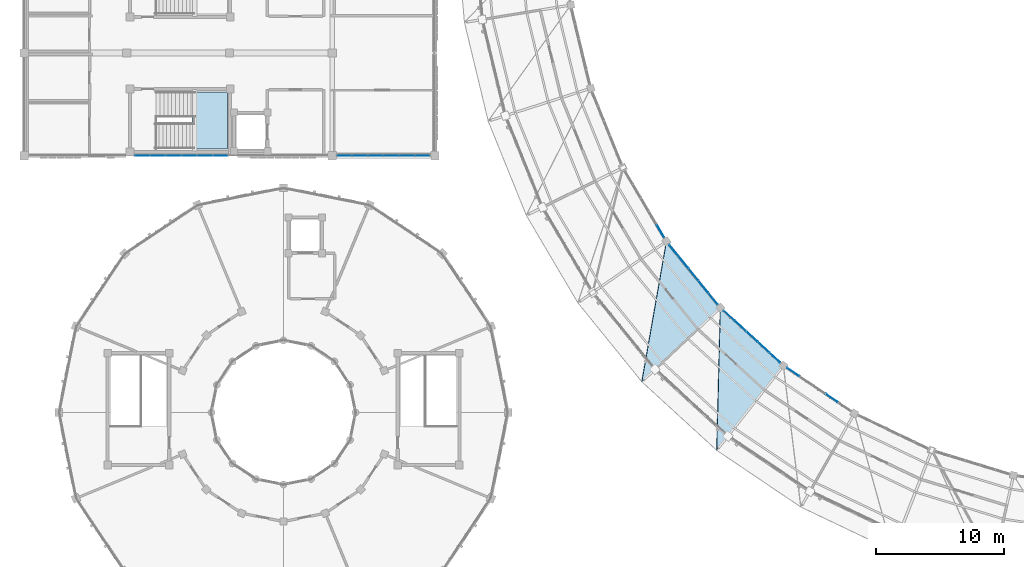
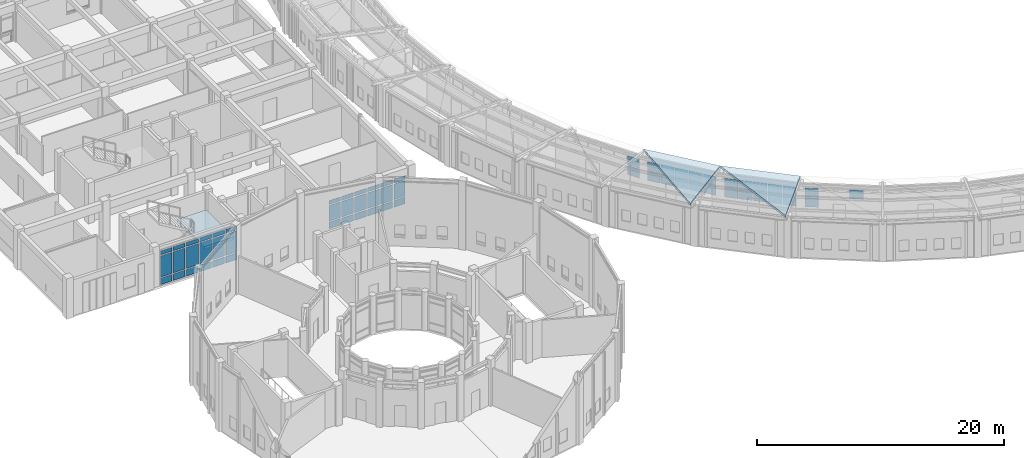
# One storey, part 101 of 149: 61 plates, 3 slabs, 7 elements without a shape of their own.
"""IFC4 building model written with IfcOpenShell, lengths in metres."""

from ifc_helpers import new_model, si_unit, direction, frame, origin, origin_2d, place, context, subcontext, project, spatial, polyline, rectangle, outline, extrude, material, layer, layer_set, type_object, element, aggregate, save


model = new_model("IFC4")

# Units and contexts
model_context = context("Model", 3, precision=1e-05, world=origin(), true_north=direction((0.0, 1.0)))
body_context = subcontext(model_context, "Body", "Model", "MODEL_VIEW")
ifc_project = project(units=[si_unit("LENGTHUNIT", "METRE"), si_unit("AREAUNIT", "SQUARE_METRE"), si_unit("VOLUMEUNIT", "CUBIC_METRE"), si_unit("PLANEANGLEUNIT", "RADIAN"), si_unit("MASSUNIT", "GRAM", prefix="KILO")], contexts=[model_context])

# Site, building, storey
site_placement = place(None, origin())
site = spatial("IfcSite", under=ifc_project, at=site_placement, CompositionType="ELEMENT")
building_placement = place(site_placement, origin())
building = spatial("IfcBuilding", under=site, at=building_placement, Name="Celadon Cloister-Ring School", CompositionType="ELEMENT")
storey_placement = place(building_placement, frame((0.0, 0.0, 12.5)))
storey = spatial("IfcBuildingStorey", under=building, at=storey_placement, Name="L03", CompositionType="ELEMENT", Elevation=12.5)

# Curtain wall, plates
ifc_material_1 = material(Name="Aluminium EN AW-6063 T6", Category="aluminium")
curtain_wall_type_1 = type_object("IfcCurtainWallType", Name="CW-15", PredefinedType="USERDEFINED", material=ifc_material_1)
curtain_wall_1_placement = place(storey_placement, origin())
curtain_wall_1 = element("IfcCurtainWall", 1, at=curtain_wall_1_placement, inside=storey, type_object=curtain_wall_type_1, Name="Curtain Wall 0205", ObjectType="CURTAIN WALL", PredefinedType="USERDEFINED")
ifc_material_2 = material(Name="Tempered laminated insulating glass", Category="glass")
ifc_layer_1 = layer(ifc_material_2, 0.02001953125)
ifc_layer_set_1 = layer_set([ifc_layer_1], Name="Tempered laminated insulating glass")
plate_type_1 = type_object("IfcPlateType", Name="CPN-01", PredefinedType="CURTAIN_PANEL", material=ifc_layer_set_1)
plate_1_placement = place(storey_placement, frame((31.034912109375, 40.0, 0.10498046875), z_axis=(0.0, 0.0, 1.0), x_axis=(-1.0, 0.0, 0.0)))
plate_1 = element("IfcPlate", 2, at=plate_1_placement, type_object=plate_type_1, Name="CW-15 panel 1.1", PredefinedType="CURTAIN_PANEL", context=body_context, shape_type="SweptSolid", body=[
    extrude(rectangle(XDim=1.06005859375, YDim=0.02001953125, at=origin_2d()), origin(), (0.0, 0.0, 1.0), 0.642578125),
])
plate_2_placement = place(storey_placement, frame((31.034912109375, 40.0, 0.8525390625), z_axis=(0.0, 0.0, 1.0), x_axis=(-1.0, 0.0, 0.0)))
plate_2 = element("IfcPlate", 3, at=plate_2_placement, type_object=plate_type_1, Name="CW-15 panel 1.2", PredefinedType="CURTAIN_PANEL", context=body_context, shape_type="SweptSolid", body=[
    extrude(rectangle(XDim=1.06005859375, YDim=0.02001953125, at=origin_2d()), origin(), (0.0, 0.0, 1.0), 1.547119140625),
])
plate_3_placement = place(storey_placement, frame((31.034912109375, 40.0, 2.50439453125), z_axis=(0.0, 0.0, 1.0), x_axis=(-1.0, 0.0, 0.0)))
plate_3 = element("IfcPlate", 4, at=plate_3_placement, type_object=plate_type_1, Name="CW-15 panel 1.3", PredefinedType="CURTAIN_PANEL", context=body_context, shape_type="SweptSolid", body=[
    extrude(rectangle(XDim=1.06005859375, YDim=0.02001953125, at=origin_2d()), origin(), (0.0, 0.0, 1.0), 0.392578125),
])
plate_4_placement = place(storey_placement, frame((29.83740234375, 40.0, 0.10498046875), z_axis=(0.0, 0.0, 1.0), x_axis=(-1.0, 0.0, 0.0)))
plate_4 = element("IfcPlate", 5, at=plate_4_placement, type_object=plate_type_1, Name="CW-15 panel 2.1", PredefinedType="CURTAIN_PANEL", context=body_context, shape_type="SweptSolid", body=[
    extrude(rectangle(XDim=1.114990234375, YDim=0.02001953125, at=origin_2d()), origin(), (0.0, 0.0, 1.0), 0.642578125),
])
plate_5_placement = place(storey_placement, frame((29.83740234375, 40.0, 0.8525390625), z_axis=(0.0, 0.0, 1.0), x_axis=(-1.0, 0.0, 0.0)))
plate_5 = element("IfcPlate", 6, at=plate_5_placement, type_object=plate_type_1, Name="CW-15 panel 2.2", PredefinedType="CURTAIN_PANEL", context=body_context, shape_type="SweptSolid", body=[
    extrude(rectangle(XDim=1.114990234375, YDim=0.02001953125, at=origin_2d()), origin(), (0.0, 0.0, 1.0), 1.547119140625),
])
plate_6_placement = place(storey_placement, frame((29.83740234375, 40.0, 2.50439453125), z_axis=(0.0, 0.0, 1.0), x_axis=(-1.0, 0.0, 0.0)))
plate_6 = element("IfcPlate", 7, at=plate_6_placement, type_object=plate_type_1, Name="CW-15 panel 2.3", PredefinedType="CURTAIN_PANEL", context=body_context, shape_type="SweptSolid", body=[
    extrude(rectangle(XDim=1.114990234375, YDim=0.02001953125, at=origin_2d()), origin(), (0.0, 0.0, 1.0), 0.392578125),
])
plate_7_placement = place(storey_placement, frame((28.612548828125, 40.0, 0.10498046875), z_axis=(0.0, 0.0, 1.0), x_axis=(-1.0, 0.0, 0.0)))
plate_7 = element("IfcPlate", 8, at=plate_7_placement, type_object=plate_type_1, Name="CW-15 panel 3.1", PredefinedType="CURTAIN_PANEL", context=body_context, shape_type="SweptSolid", body=[
    extrude(rectangle(XDim=1.114990234375, YDim=0.02001953125, at=origin_2d()), origin(), (0.0, 0.0, 1.0), 0.642578125),
])
plate_8_placement = place(storey_placement, frame((28.612548828125, 40.0, 0.8525390625), z_axis=(0.0, 0.0, 1.0), x_axis=(-1.0, 0.0, 0.0)))
plate_8 = element("IfcPlate", 9, at=plate_8_placement, type_object=plate_type_1, Name="CW-15 panel 3.2", PredefinedType="CURTAIN_PANEL", context=body_context, shape_type="SweptSolid", body=[
    extrude(rectangle(XDim=1.114990234375, YDim=0.02001953125, at=origin_2d()), origin(), (0.0, 0.0, 1.0), 1.547119140625),
])
plate_9_placement = place(storey_placement, frame((28.612548828125, 40.0, 2.50439453125), z_axis=(0.0, 0.0, 1.0), x_axis=(-1.0, 0.0, 0.0)))
plate_9 = element("IfcPlate", 10, at=plate_9_placement, type_object=plate_type_1, Name="CW-15 panel 3.3", PredefinedType="CURTAIN_PANEL", context=body_context, shape_type="SweptSolid", body=[
    extrude(rectangle(XDim=1.114990234375, YDim=0.02001953125, at=origin_2d()), origin(), (0.0, 0.0, 1.0), 0.392578125),
])
plate_10_placement = place(storey_placement, frame((27.387451171875, 40.0, 0.10498046875), z_axis=(0.0, 0.0, 1.0), x_axis=(-1.0, 0.0, 0.0)))
plate_10 = element("IfcPlate", 11, at=plate_10_placement, type_object=plate_type_1, Name="CW-15 panel 4.1", PredefinedType="CURTAIN_PANEL", context=body_context, shape_type="SweptSolid", body=[
    extrude(rectangle(XDim=1.114990234375, YDim=0.02001953125, at=origin_2d()), origin(), (0.0, 0.0, 1.0), 0.642578125),
])
plate_11_placement = place(storey_placement, frame((27.387451171875, 40.0, 0.8525390625), z_axis=(0.0, 0.0, 1.0), x_axis=(-1.0, 0.0, 0.0)))
plate_11 = element("IfcPlate", 12, at=plate_11_placement, type_object=plate_type_1, Name="CW-15 panel 4.2", PredefinedType="CURTAIN_PANEL", context=body_context, shape_type="SweptSolid", body=[
    extrude(rectangle(XDim=1.114990234375, YDim=0.02001953125, at=origin_2d()), origin(), (0.0, 0.0, 1.0), 1.547119140625),
])
plate_12_placement = place(storey_placement, frame((27.387451171875, 40.0, 2.50439453125), z_axis=(0.0, 0.0, 1.0), x_axis=(-1.0, 0.0, 0.0)))
plate_12 = element("IfcPlate", 13, at=plate_12_placement, type_object=plate_type_1, Name="CW-15 panel 4.3", PredefinedType="CURTAIN_PANEL", context=body_context, shape_type="SweptSolid", body=[
    extrude(rectangle(XDim=1.114990234375, YDim=0.02001953125, at=origin_2d()), origin(), (0.0, 0.0, 1.0), 0.392578125),
])
plate_13_placement = place(storey_placement, frame((26.16259765625, 40.0, 0.10498046875), z_axis=(0.0, 0.0, 1.0), x_axis=(-1.0, 0.0, 0.0)))
plate_13 = element("IfcPlate", 14, at=plate_13_placement, type_object=plate_type_1, Name="CW-15 panel 5.1", PredefinedType="CURTAIN_PANEL", context=body_context, shape_type="SweptSolid", body=[
    extrude(rectangle(XDim=1.114990234375, YDim=0.02001953125, at=origin_2d()), origin(), (0.0, 0.0, 1.0), 0.642578125),
])
plate_14_placement = place(storey_placement, frame((26.16259765625, 40.0, 0.8525390625), z_axis=(0.0, 0.0, 1.0), x_axis=(-1.0, 0.0, 0.0)))
plate_14 = element("IfcPlate", 15, at=plate_14_placement, type_object=plate_type_1, Name="CW-15 panel 5.2", PredefinedType="CURTAIN_PANEL", context=body_context, shape_type="SweptSolid", body=[
    extrude(rectangle(XDim=1.114990234375, YDim=0.02001953125, at=origin_2d()), origin(), (0.0, 0.0, 1.0), 1.547119140625),
])
plate_15_placement = place(storey_placement, frame((26.16259765625, 40.0, 2.50439453125), z_axis=(0.0, 0.0, 1.0), x_axis=(-1.0, 0.0, 0.0)))
plate_15 = element("IfcPlate", 16, at=plate_15_placement, type_object=plate_type_1, Name="CW-15 panel 5.3", PredefinedType="CURTAIN_PANEL", context=body_context, shape_type="SweptSolid", body=[
    extrude(rectangle(XDim=1.114990234375, YDim=0.02001953125, at=origin_2d()), origin(), (0.0, 0.0, 1.0), 0.392578125),
])
plate_16_placement = place(storey_placement, frame((24.965087890625, 40.0, 0.10498046875), z_axis=(0.0, 0.0, 1.0), x_axis=(-1.0, 0.0, 0.0)))
plate_16 = element("IfcPlate", 17, at=plate_16_placement, type_object=plate_type_1, Name="CW-15 panel 6.1", PredefinedType="CURTAIN_PANEL", context=body_context, shape_type="SweptSolid", body=[
    extrude(rectangle(XDim=1.06005859375, YDim=0.02001953125, at=origin_2d()), origin(), (0.0, 0.0, 1.0), 0.642578125),
])
plate_17_placement = place(storey_placement, frame((24.965087890625, 40.0, 0.8525390625), z_axis=(0.0, 0.0, 1.0), x_axis=(-1.0, 0.0, 0.0)))
plate_17 = element("IfcPlate", 18, at=plate_17_placement, type_object=plate_type_1, Name="CW-15 panel 6.2", PredefinedType="CURTAIN_PANEL", context=body_context, shape_type="SweptSolid", body=[
    extrude(rectangle(XDim=1.06005859375, YDim=0.02001953125, at=origin_2d()), origin(), (0.0, 0.0, 1.0), 1.547119140625),
])
plate_18_placement = place(storey_placement, frame((24.965087890625, 40.0, 2.50439453125), z_axis=(0.0, 0.0, 1.0), x_axis=(-1.0, 0.0, 0.0)))
plate_18 = element("IfcPlate", 19, at=plate_18_placement, type_object=plate_type_1, Name="CW-15 panel 6.3", PredefinedType="CURTAIN_PANEL", context=body_context, shape_type="SweptSolid", body=[
    extrude(rectangle(XDim=1.06005859375, YDim=0.02001953125, at=origin_2d()), origin(), (0.0, 0.0, 1.0), 0.392578125),
])
aggregate(curtain_wall_1, [plate_1, plate_2, plate_3, plate_4, plate_5, plate_6, plate_7, plate_8, plate_9, plate_10, plate_11, plate_12, plate_13, plate_14, plate_15, plate_16, plate_17, plate_18])

ifc_material_3 = material(Name="Aluminium EN AW-6063 T6", Category="aluminium")
curtain_wall_type_2 = type_object("IfcCurtainWallType", Name="CW-13", PredefinedType="USERDEFINED", material=ifc_material_3)
curtain_wall_2_placement = place(storey_placement, origin())
curtain_wall_2 = element("IfcCurtainWall", 20, at=curtain_wall_2_placement, inside=storey, type_object=curtain_wall_type_2, Name="Curtain Wall 0206", ObjectType="CURTAIN WALL", PredefinedType="USERDEFINED")
plate_19_placement = place(storey_placement, frame((15.296630859375, 40.0, 0.10498046875), z_axis=(0.0, 0.0, 1.0), x_axis=(-1.0, 0.0, 0.0)))
plate_19 = element("IfcPlate", 21, at=plate_19_placement, type_object=plate_type_1, Name="CW-13 panel 1.1", PredefinedType="CURTAIN_PANEL", context=body_context, shape_type="SweptSolid", body=[
    extrude(rectangle(XDim=1.066650390625, YDim=0.02001953125, at=origin_2d()), origin(), (0.0, 0.0, 1.0), 0.642578125),
])
plate_20_placement = place(storey_placement, frame((15.296630859375, 40.0, 0.8525390625), z_axis=(0.0, 0.0, 1.0), x_axis=(-1.0, 0.0, 0.0)))
plate_20 = element("IfcPlate", 22, at=plate_20_placement, type_object=plate_type_1, Name="CW-13 panel 1.2", PredefinedType="CURTAIN_PANEL", context=body_context, shape_type="SweptSolid", body=[
    extrude(rectangle(XDim=1.066650390625, YDim=0.02001953125, at=origin_2d()), origin(), (0.0, 0.0, 1.0), 2.094970703125),
])
plate_21_placement = place(storey_placement, frame((15.296630859375, 40.0, 3.052490234375), z_axis=(0.0, 0.0, 1.0), x_axis=(-1.0, 0.0, 0.0)))
plate_21 = element("IfcPlate", 23, at=plate_21_placement, type_object=plate_type_1, Name="CW-13 panel 1.3", PredefinedType="CURTAIN_PANEL", context=body_context, shape_type="SweptSolid", body=[
    extrude(rectangle(XDim=1.066650390625, YDim=0.02001953125, at=origin_2d()), origin(), (0.0, 0.0, 1.0), 0.392578125),
])
plate_22_placement = place(storey_placement, frame((14.092529296875, 40.0, 0.10498046875), z_axis=(0.0, 0.0, 1.0), x_axis=(-1.0, 0.0, 0.0)))
plate_22 = element("IfcPlate", 24, at=plate_22_placement, type_object=plate_type_1, Name="CW-13 panel 2.1", PredefinedType="CURTAIN_PANEL", context=body_context, shape_type="SweptSolid", body=[
    extrude(rectangle(XDim=1.12158203125, YDim=0.02001953125, at=origin_2d()), origin(), (0.0, 0.0, 1.0), 0.642578125),
])
plate_23_placement = place(storey_placement, frame((14.092529296875, 40.0, 0.8525390625), z_axis=(0.0, 0.0, 1.0), x_axis=(-1.0, 0.0, 0.0)))
plate_23 = element("IfcPlate", 25, at=plate_23_placement, type_object=plate_type_1, Name="CW-13 panel 2.2", PredefinedType="CURTAIN_PANEL", context=body_context, shape_type="SweptSolid", body=[
    extrude(rectangle(XDim=1.12158203125, YDim=0.02001953125, at=origin_2d()), origin(), (0.0, 0.0, 1.0), 2.094970703125),
])
plate_24_placement = place(storey_placement, frame((14.092529296875, 40.0, 3.052490234375), z_axis=(0.0, 0.0, 1.0), x_axis=(-1.0, 0.0, 0.0)))
plate_24 = element("IfcPlate", 26, at=plate_24_placement, type_object=plate_type_1, Name="CW-13 panel 2.3", PredefinedType="CURTAIN_PANEL", context=body_context, shape_type="SweptSolid", body=[
    extrude(rectangle(XDim=1.12158203125, YDim=0.02001953125, at=origin_2d()), origin(), (0.0, 0.0, 1.0), 0.392578125),
])
plate_25_placement = place(storey_placement, frame((12.86083984375, 40.0, 0.10498046875), z_axis=(0.0, 0.0, 1.0), x_axis=(-1.0, 0.0, 0.0)))
plate_25 = element("IfcPlate", 27, at=plate_25_placement, type_object=plate_type_1, Name="CW-13 panel 3.1", PredefinedType="CURTAIN_PANEL", context=body_context, shape_type="SweptSolid", body=[
    extrude(rectangle(XDim=1.12158203125, YDim=0.02001953125, at=origin_2d()), origin(), (0.0, 0.0, 1.0), 0.642578125),
])
plate_26_placement = place(storey_placement, frame((12.86083984375, 40.0, 0.8525390625), z_axis=(0.0, 0.0, 1.0), x_axis=(-1.0, 0.0, 0.0)))
plate_26 = element("IfcPlate", 28, at=plate_26_placement, type_object=plate_type_1, Name="CW-13 panel 3.2", PredefinedType="CURTAIN_PANEL", context=body_context, shape_type="SweptSolid", body=[
    extrude(rectangle(XDim=1.12158203125, YDim=0.02001953125, at=origin_2d()), origin(), (0.0, 0.0, 1.0), 2.094970703125),
])
plate_27_placement = place(storey_placement, frame((12.86083984375, 40.0, 3.052490234375), z_axis=(0.0, 0.0, 1.0), x_axis=(-1.0, 0.0, 0.0)))
plate_27 = element("IfcPlate", 29, at=plate_27_placement, type_object=plate_type_1, Name="CW-13 panel 3.3", PredefinedType="CURTAIN_PANEL", context=body_context, shape_type="SweptSolid", body=[
    extrude(rectangle(XDim=1.12158203125, YDim=0.02001953125, at=origin_2d()), origin(), (0.0, 0.0, 1.0), 0.392578125),
])
plate_28_placement = place(storey_placement, frame((11.629150390625, 40.0, 0.10498046875), z_axis=(0.0, 0.0, 1.0), x_axis=(-1.0, 0.0, 0.0)))
plate_28 = element("IfcPlate", 30, at=plate_28_placement, type_object=plate_type_1, Name="CW-13 panel 4.1", PredefinedType="CURTAIN_PANEL", context=body_context, shape_type="SweptSolid", body=[
    extrude(rectangle(XDim=1.12158203125, YDim=0.02001953125, at=origin_2d()), origin(), (0.0, 0.0, 1.0), 0.642578125),
])
plate_29_placement = place(storey_placement, frame((11.629150390625, 40.0, 0.8525390625), z_axis=(0.0, 0.0, 1.0), x_axis=(-1.0, 0.0, 0.0)))
plate_29 = element("IfcPlate", 31, at=plate_29_placement, type_object=plate_type_1, Name="CW-13 panel 4.2", PredefinedType="CURTAIN_PANEL", context=body_context, shape_type="SweptSolid", body=[
    extrude(rectangle(XDim=1.12158203125, YDim=0.02001953125, at=origin_2d()), origin(), (0.0, 0.0, 1.0), 2.094970703125),
])
plate_30_placement = place(storey_placement, frame((11.629150390625, 40.0, 3.052490234375), z_axis=(0.0, 0.0, 1.0), x_axis=(-1.0, 0.0, 0.0)))
plate_30 = element("IfcPlate", 32, at=plate_30_placement, type_object=plate_type_1, Name="CW-13 panel 4.3", PredefinedType="CURTAIN_PANEL", context=body_context, shape_type="SweptSolid", body=[
    extrude(rectangle(XDim=1.12158203125, YDim=0.02001953125, at=origin_2d()), origin(), (0.0, 0.0, 1.0), 0.392578125),
])
plate_31_placement = place(storey_placement, frame((10.3974609375, 40.0, 0.10498046875), z_axis=(0.0, 0.0, 1.0), x_axis=(-1.0, 0.0, 0.0)))
plate_31 = element("IfcPlate", 33, at=plate_31_placement, type_object=plate_type_1, Name="CW-13 panel 5.1", PredefinedType="CURTAIN_PANEL", context=body_context, shape_type="SweptSolid", body=[
    extrude(rectangle(XDim=1.12158203125, YDim=0.02001953125, at=origin_2d()), origin(), (0.0, 0.0, 1.0), 0.642578125),
])
plate_32_placement = place(storey_placement, frame((10.3974609375, 40.0, 0.8525390625), z_axis=(0.0, 0.0, 1.0), x_axis=(-1.0, 0.0, 0.0)))
plate_32 = element("IfcPlate", 34, at=plate_32_placement, type_object=plate_type_1, Name="CW-13 panel 5.2", PredefinedType="CURTAIN_PANEL", context=body_context, shape_type="SweptSolid", body=[
    extrude(rectangle(XDim=1.12158203125, YDim=0.02001953125, at=origin_2d()), origin(), (0.0, 0.0, 1.0), 2.094970703125),
])
plate_33_placement = place(storey_placement, frame((10.3974609375, 40.0, 3.052490234375), z_axis=(0.0, 0.0, 1.0), x_axis=(-1.0, 0.0, 0.0)))
plate_33 = element("IfcPlate", 35, at=plate_33_placement, type_object=plate_type_1, Name="CW-13 panel 5.3", PredefinedType="CURTAIN_PANEL", context=body_context, shape_type="SweptSolid", body=[
    extrude(rectangle(XDim=1.12158203125, YDim=0.02001953125, at=origin_2d()), origin(), (0.0, 0.0, 1.0), 0.392578125),
])
plate_34_placement = place(storey_placement, frame((9.193359375, 40.0, 0.10498046875), z_axis=(0.0, 0.0, 1.0), x_axis=(-1.0, 0.0, 0.0)))
plate_34 = element("IfcPlate", 36, at=plate_34_placement, type_object=plate_type_1, Name="CW-13 panel 6.1", PredefinedType="CURTAIN_PANEL", context=body_context, shape_type="SweptSolid", body=[
    extrude(rectangle(XDim=1.066650390625, YDim=0.02001953125, at=origin_2d()), origin(), (0.0, 0.0, 1.0), 0.642578125),
])
plate_35_placement = place(storey_placement, frame((9.193359375, 40.0, 0.8525390625), z_axis=(0.0, 0.0, 1.0), x_axis=(-1.0, 0.0, 0.0)))
plate_35 = element("IfcPlate", 37, at=plate_35_placement, type_object=plate_type_1, Name="CW-13 panel 6.2", PredefinedType="CURTAIN_PANEL", context=body_context, shape_type="SweptSolid", body=[
    extrude(rectangle(XDim=1.066650390625, YDim=0.02001953125, at=origin_2d()), origin(), (0.0, 0.0, 1.0), 2.094970703125),
])
plate_36_placement = place(storey_placement, frame((9.193359375, 40.0, 3.052490234375), z_axis=(0.0, 0.0, 1.0), x_axis=(-1.0, 0.0, 0.0)))
plate_36 = element("IfcPlate", 38, at=plate_36_placement, type_object=plate_type_1, Name="CW-13 panel 6.3", PredefinedType="CURTAIN_PANEL", context=body_context, shape_type="SweptSolid", body=[
    extrude(rectangle(XDim=1.066650390625, YDim=0.02001953125, at=origin_2d()), origin(), (0.0, 0.0, 1.0), 0.392578125),
])
aggregate(curtain_wall_2, [plate_19, plate_20, plate_21, plate_22, plate_23, plate_24, plate_25, plate_26, plate_27, plate_28, plate_29, plate_30, plate_31, plate_32, plate_33, plate_34, plate_35, plate_36])

ifc_material_4 = material(Name="Aluminium EN AW-6063 T6", Category="aluminium")
curtain_wall_type_3 = type_object("IfcCurtainWallType", Name="CW-02", PredefinedType="USERDEFINED", material=ifc_material_4)
curtain_wall_3_placement = place(storey_placement, origin())
curtain_wall_3 = element("IfcCurtainWall", 39, at=curtain_wall_3_placement, inside=storey, type_object=curtain_wall_type_3, Name="Curtain Wall 0054", ObjectType="CURTAIN WALL", PredefinedType="USERDEFINED")
ifc_material_5 = material(Name="Tempered laminated insulating glass", Category="glass")
ifc_layer_2 = layer(ifc_material_5, 0.035888671875)
ifc_layer_set_2 = layer_set([ifc_layer_2], Name="Tempered laminated insulating glass")
plate_type_2 = type_object("IfcPlateType", Name="CPN-03", PredefinedType="CURTAIN_PANEL", material=ifc_layer_set_2)
plate_37_placement = place(storey_placement, frame((49.575439453125, 34.116455078125, 0.074951171875), z_axis=(0.0, 0.0, 1.0), x_axis=(0.507885374036, -0.861424661152, 0.0)))
plate_37 = element("IfcPlate", 40, at=plate_37_placement, type_object=plate_type_2, Name="CW-02 panel 5.1", PredefinedType="CURTAIN_PANEL", context=body_context, shape_type="SweptSolid", body=[
    extrude(rectangle(XDim=1.10205078125, YDim=0.035888671875, at=origin_2d()), origin(), (0.0, 0.0, 1.0), 0.8974609375),
])
plate_38_placement = place(storey_placement, frame((49.575439453125, 34.116455078125, 1.047607421875), z_axis=(0.0, 0.0, 1.0), x_axis=(0.507885374036, -0.861424661152, 0.0)))
plate_38 = element("IfcPlate", 41, at=plate_38_placement, type_object=plate_type_2, Name="CW-02 panel 5.2", PredefinedType="CURTAIN_PANEL", context=body_context, shape_type="SweptSolid", body=[
    extrude(rectangle(XDim=1.10205078125, YDim=0.035888671875, at=origin_2d()), origin(), (0.0, 0.0, 1.0), 0.8974609375),
])
aggregate(curtain_wall_3, [plate_37, plate_38])

curtain_wall_4_placement = place(storey_placement, origin())
curtain_wall_4 = element("IfcCurtainWall", 42, at=curtain_wall_4_placement, inside=storey, type_object=curtain_wall_type_3, Name="Curtain Wall 0055", ObjectType="CURTAIN WALL", PredefinedType="USERDEFINED")
plate_39_placement = place(storey_placement, frame((50.6103515625, 32.6259765625, 0.074951171875), z_axis=(0.0, 0.0, 1.0), x_axis=(0.62977259355, -0.776779557155, 0.0)))
plate_39 = element("IfcPlate", 43, at=plate_39_placement, type_object=plate_type_2, Name="CW-02 panel 1.1", PredefinedType="CURTAIN_PANEL", context=body_context, shape_type="SweptSolid", body=[
    extrude(rectangle(XDim=1.101806640625, YDim=0.035888671875, at=origin_2d()), origin(), (0.0, 0.0, 1.0), 0.8974609375),
])
plate_40_placement = place(storey_placement, frame((50.6103515625, 32.6259765625, 1.047607421875), z_axis=(0.0, 0.0, 1.0), x_axis=(0.62977259355, -0.776779557155, 0.0)))
plate_40 = element("IfcPlate", 44, at=plate_40_placement, type_object=plate_type_2, Name="CW-02 panel 1.2", PredefinedType="CURTAIN_PANEL", context=body_context, shape_type="SweptSolid", body=[
    extrude(rectangle(XDim=1.101806640625, YDim=0.035888671875, at=origin_2d()), origin(), (0.0, 0.0, 1.0), 0.8974609375),
])
plate_41_placement = place(storey_placement, frame((51.3671875, 31.6923828125, 0.074951171875), z_axis=(0.0, 0.0, 1.0), x_axis=(0.62977259355, -0.776779557155, 0.0)))
plate_41 = element("IfcPlate", 45, at=plate_41_placement, type_object=plate_type_2, Name="CW-02 panel 2.1", PredefinedType="CURTAIN_PANEL", context=body_context, shape_type="SweptSolid", body=[
    extrude(rectangle(XDim=1.1416015625, YDim=0.035888671875, at=origin_2d()), origin(), (0.0, 0.0, 1.0), 0.8974609375),
])
plate_42_placement = place(storey_placement, frame((51.3671875, 31.6923828125, 1.047607421875), z_axis=(0.0, 0.0, 1.0), x_axis=(0.62977259355, -0.776779557155, 0.0)))
plate_42 = element("IfcPlate", 46, at=plate_42_placement, type_object=plate_type_2, Name="CW-02 panel 2.2", PredefinedType="CURTAIN_PANEL", context=body_context, shape_type="SweptSolid", body=[
    extrude(rectangle(XDim=1.1416015625, YDim=0.035888671875, at=origin_2d()), origin(), (0.0, 0.0, 1.0), 0.8974609375),
])
plate_43_placement = place(storey_placement, frame((52.136474609375, 30.743408203125, 0.074951171875), z_axis=(0.0, 0.0, 1.0), x_axis=(0.62977259355, -0.776779557155, 0.0)))
plate_43 = element("IfcPlate", 47, at=plate_43_placement, type_object=plate_type_2, Name="CW-02 panel 3.1", PredefinedType="CURTAIN_PANEL", context=body_context, shape_type="SweptSolid", body=[
    extrude(rectangle(XDim=1.1416015625, YDim=0.035888671875, at=origin_2d()), origin(), (0.0, 0.0, 1.0), 0.8974609375),
])
plate_44_placement = place(storey_placement, frame((52.136474609375, 30.743408203125, 1.047607421875), z_axis=(0.0, 0.0, 1.0), x_axis=(0.62977259355, -0.776779557155, 0.0)))
plate_44 = element("IfcPlate", 48, at=plate_44_placement, type_object=plate_type_2, Name="CW-02 panel 3.2", PredefinedType="CURTAIN_PANEL", context=body_context, shape_type="SweptSolid", body=[
    extrude(rectangle(XDim=1.1416015625, YDim=0.035888671875, at=origin_2d()), origin(), (0.0, 0.0, 1.0), 0.8974609375),
])
plate_45_placement = place(storey_placement, frame((52.906005859375, 29.79443359375, 0.074951171875), z_axis=(0.0, 0.0, 1.0), x_axis=(0.62977259355, -0.776779557155, 0.0)))
plate_45 = element("IfcPlate", 49, at=plate_45_placement, type_object=plate_type_2, Name="CW-02 panel 4.1", PredefinedType="CURTAIN_PANEL", context=body_context, shape_type="SweptSolid", body=[
    extrude(rectangle(XDim=1.1416015625, YDim=0.035888671875, at=origin_2d()), origin(), (0.0, 0.0, 1.0), 0.8974609375),
])
plate_46_placement = place(storey_placement, frame((52.906005859375, 29.79443359375, 1.047607421875), z_axis=(0.0, 0.0, 1.0), x_axis=(0.62977259355, -0.776779557155, 0.0)))
plate_46 = element("IfcPlate", 50, at=plate_46_placement, type_object=plate_type_2, Name="CW-02 panel 4.2", PredefinedType="CURTAIN_PANEL", context=body_context, shape_type="SweptSolid", body=[
    extrude(rectangle(XDim=1.1416015625, YDim=0.035888671875, at=origin_2d()), origin(), (0.0, 0.0, 1.0), 0.8974609375),
])
plate_47_placement = place(storey_placement, frame((53.66259765625, 28.861083984375, 0.074951171875), z_axis=(0.0, 0.0, 1.0), x_axis=(0.62977259355, -0.776779557155, 0.0)))
plate_47 = element("IfcPlate", 51, at=plate_47_placement, type_object=plate_type_2, Name="CW-02 panel 5.1", PredefinedType="CURTAIN_PANEL", context=body_context, shape_type="SweptSolid", body=[
    extrude(rectangle(XDim=1.101806640625, YDim=0.035888671875, at=origin_2d()), origin(), (0.0, 0.0, 1.0), 0.8974609375),
])
plate_48_placement = place(storey_placement, frame((53.66259765625, 28.861083984375, 1.047607421875), z_axis=(0.0, 0.0, 1.0), x_axis=(0.62977259355, -0.776779557155, 0.0)))
plate_48 = element("IfcPlate", 52, at=plate_48_placement, type_object=plate_type_2, Name="CW-02 panel 5.2", PredefinedType="CURTAIN_PANEL", context=body_context, shape_type="SweptSolid", body=[
    extrude(rectangle(XDim=1.101806640625, YDim=0.035888671875, at=origin_2d()), origin(), (0.0, 0.0, 1.0), 0.8974609375),
])
aggregate(curtain_wall_4, [plate_39, plate_40, plate_41, plate_42, plate_43, plate_44, plate_45, plate_46, plate_47, plate_48])

curtain_wall_5_placement = place(storey_placement, origin())
curtain_wall_5 = element("IfcCurtainWall", 53, at=curtain_wall_5_placement, inside=storey, type_object=curtain_wall_type_3, Name="Curtain Wall 0056", ObjectType="CURTAIN WALL", PredefinedType="USERDEFINED")
plate_49_placement = place(storey_placement, frame((54.90625, 27.539794921875, 0.074951171875), z_axis=(0.0, 0.0, 1.0), x_axis=(0.737446251531, -0.675405823267, 0.0)))
plate_49 = element("IfcPlate", 54, at=plate_49_placement, type_object=plate_type_2, Name="CW-02 panel 1.1", PredefinedType="CURTAIN_PANEL", context=body_context, shape_type="SweptSolid", body=[
    extrude(rectangle(XDim=1.101806640625, YDim=0.035888671875, at=origin_2d()), origin(), (0.0, 0.0, 1.0), 0.8974609375),
])
plate_50_placement = place(storey_placement, frame((54.90625, 27.539794921875, 1.047607421875), z_axis=(0.0, 0.0, 1.0), x_axis=(0.737446251531, -0.675405823267, 0.0)))
plate_50 = element("IfcPlate", 55, at=plate_50_placement, type_object=plate_type_2, Name="CW-02 panel 1.2", PredefinedType="CURTAIN_PANEL", context=body_context, shape_type="SweptSolid", body=[
    extrude(rectangle(XDim=1.101806640625, YDim=0.035888671875, at=origin_2d()), origin(), (0.0, 0.0, 1.0), 0.8974609375),
])
plate_51_placement = place(storey_placement, frame((55.79248046875, 26.728271484375, 0.074951171875), z_axis=(0.0, 0.0, 1.0), x_axis=(0.737446251531, -0.675405823267, 0.0)))
plate_51 = element("IfcPlate", 56, at=plate_51_placement, type_object=plate_type_2, Name="CW-02 panel 2.1", PredefinedType="CURTAIN_PANEL", context=body_context, shape_type="SweptSolid", body=[
    extrude(rectangle(XDim=1.141845703125, YDim=0.035888671875, at=origin_2d()), origin(), (0.0, 0.0, 1.0), 0.8974609375),
])
plate_52_placement = place(storey_placement, frame((55.79248046875, 26.728271484375, 1.047607421875), z_axis=(0.0, 0.0, 1.0), x_axis=(0.737446251531, -0.675405823267, 0.0)))
plate_52 = element("IfcPlate", 57, at=plate_52_placement, type_object=plate_type_2, Name="CW-02 panel 2.2", PredefinedType="CURTAIN_PANEL", context=body_context, shape_type="SweptSolid", body=[
    extrude(rectangle(XDim=1.141845703125, YDim=0.035888671875, at=origin_2d()), origin(), (0.0, 0.0, 1.0), 0.8974609375),
])
plate_53_placement = place(storey_placement, frame((56.693603515625, 25.903076171875, 0.074951171875), z_axis=(0.0, 0.0, 1.0), x_axis=(0.737446251531, -0.675405823267, 0.0)))
plate_53 = element("IfcPlate", 58, at=plate_53_placement, type_object=plate_type_2, Name="CW-02 panel 3.1", PredefinedType="CURTAIN_PANEL", context=body_context, shape_type="SweptSolid", body=[
    extrude(rectangle(XDim=1.141845703125, YDim=0.035888671875, at=origin_2d()), origin(), (0.0, 0.0, 1.0), 0.8974609375),
])
plate_54_placement = place(storey_placement, frame((56.693603515625, 25.903076171875, 1.047607421875), z_axis=(0.0, 0.0, 1.0), x_axis=(0.737446251531, -0.675405823267, 0.0)))
plate_54 = element("IfcPlate", 59, at=plate_54_placement, type_object=plate_type_2, Name="CW-02 panel 3.2", PredefinedType="CURTAIN_PANEL", context=body_context, shape_type="SweptSolid", body=[
    extrude(rectangle(XDim=1.141845703125, YDim=0.035888671875, at=origin_2d()), origin(), (0.0, 0.0, 1.0), 0.8974609375),
])
plate_55_placement = place(storey_placement, frame((57.594482421875, 25.077880859375, 0.074951171875), z_axis=(0.0, 0.0, 1.0), x_axis=(0.737446251531, -0.675405823267, 0.0)))
plate_55 = element("IfcPlate", 60, at=plate_55_placement, type_object=plate_type_2, Name="CW-02 panel 4.1", PredefinedType="CURTAIN_PANEL", context=body_context, shape_type="SweptSolid", body=[
    extrude(rectangle(XDim=1.141845703125, YDim=0.035888671875, at=origin_2d()), origin(), (0.0, 0.0, 1.0), 0.8974609375),
])
plate_56_placement = place(storey_placement, frame((57.594482421875, 25.077880859375, 1.047607421875), z_axis=(0.0, 0.0, 1.0), x_axis=(0.737446251531, -0.675405823267, 0.0)))
plate_56 = element("IfcPlate", 61, at=plate_56_placement, type_object=plate_type_2, Name="CW-02 panel 4.2", PredefinedType="CURTAIN_PANEL", context=body_context, shape_type="SweptSolid", body=[
    extrude(rectangle(XDim=1.141845703125, YDim=0.035888671875, at=origin_2d()), origin(), (0.0, 0.0, 1.0), 0.8974609375),
])
plate_57_placement = place(storey_placement, frame((58.480712890625, 24.26611328125, 0.074951171875), z_axis=(0.0, 0.0, 1.0), x_axis=(0.737446251531, -0.675405823267, 0.0)))
plate_57 = element("IfcPlate", 62, at=plate_57_placement, type_object=plate_type_2, Name="CW-02 panel 5.1", PredefinedType="CURTAIN_PANEL", context=body_context, shape_type="SweptSolid", body=[
    extrude(rectangle(XDim=1.101806640625, YDim=0.035888671875, at=origin_2d()), origin(), (0.0, 0.0, 1.0), 0.8974609375),
])
plate_58_placement = place(storey_placement, frame((58.480712890625, 24.26611328125, 1.047607421875), z_axis=(0.0, 0.0, 1.0), x_axis=(0.737446251531, -0.675405823267, 0.0)))
plate_58 = element("IfcPlate", 63, at=plate_58_placement, type_object=plate_type_2, Name="CW-02 panel 5.2", PredefinedType="CURTAIN_PANEL", context=body_context, shape_type="SweptSolid", body=[
    extrude(rectangle(XDim=1.101806640625, YDim=0.035888671875, at=origin_2d()), origin(), (0.0, 0.0, 1.0), 0.8974609375),
])
aggregate(curtain_wall_5, [plate_49, plate_50, plate_51, plate_52, plate_53, plate_54, plate_55, plate_56, plate_57, plate_58])

curtain_wall_6_placement = place(storey_placement, origin())
curtain_wall_6 = element("IfcCurtainWall", 64, at=curtain_wall_6_placement, inside=storey, type_object=curtain_wall_type_3, Name="Curtain Wall 0057", ObjectType="CURTAIN WALL", PredefinedType="USERDEFINED")
plate_59_placement = place(storey_placement, frame((59.90625, 23.143310546875, 0.074951171875), z_axis=(0.0, 0.0, 1.0), x_axis=(0.829269725916, -0.558848567753, 0.0)))
plate_59 = element("IfcPlate", 65, at=plate_59_placement, type_object=plate_type_2, Name="CW-02 panel 1.1", PredefinedType="CURTAIN_PANEL", context=body_context, shape_type="SweptSolid", body=[
    extrude(rectangle(XDim=1.101806640625, YDim=0.035888671875, at=origin_2d()), origin(), (0.0, 0.0, 1.0), 0.8974609375),
])
plate_60_placement = place(storey_placement, frame((59.90625, 23.143310546875, 1.047607421875), z_axis=(0.0, 0.0, 1.0), x_axis=(0.829269725916, -0.558848567753, 0.0)))
plate_60 = element("IfcPlate", 66, at=plate_60_placement, type_object=plate_type_2, Name="CW-02 panel 1.2", PredefinedType="CURTAIN_PANEL", context=body_context, shape_type="SweptSolid", body=[
    extrude(rectangle(XDim=1.101806640625, YDim=0.035888671875, at=origin_2d()), origin(), (0.0, 0.0, 1.0), 0.8974609375),
])
plate_61_placement = place(storey_placement, frame((62.92919921875, 21.106201171875, 1.047607421875), z_axis=(0.0, 0.0, 1.0), x_axis=(0.829269725916, -0.558848567753, 0.0)))
plate_61 = element("IfcPlate", 67, at=plate_61_placement, type_object=plate_type_2, Name="CW-02 panel 4.2", PredefinedType="CURTAIN_PANEL", context=body_context, shape_type="SweptSolid", body=[
    extrude(rectangle(XDim=1.141845703125, YDim=0.035888671875, at=origin_2d()), origin(), (0.0, 0.0, 1.0), 0.8974609375),
])
aggregate(curtain_wall_6, [plate_59, plate_60, plate_61])

# Stair, slab
ifc_material_6 = material(Name="Concrete C35/45", Category="concrete")
stair_type = type_object("IfcStairType", Name="ST-02", PredefinedType="HALF_TURN_STAIR", material=ifc_material_6)
stair_placement = place(storey_placement, origin())
stair = element("IfcStair", 68, at=stair_placement, inside=storey, type_object=stair_type, Name="Exit Stair ST-V5A L03", PredefinedType="HALF_TURN_STAIR")
ifc_material_7 = material(Name="Concrete C35/45", Category="concrete")
ifc_layer_3 = layer(ifc_material_7, 0.280029296875)
ifc_layer_set_3 = layer_set([ifc_layer_3], Name="Concrete C35/45")
slab_type_1 = type_object("IfcSlabType", Name="SL-LD1", PredefinedType="LANDING", material=ifc_layer_set_3)
slab_1_placement = place(storey_placement, frame((0.0, 0.0, 1.719970703125)))
slab_1 = element("IfcSlab", 69, at=slab_1_placement, type_object=slab_type_1, Name="ST-02 landing 1", PredefinedType="LANDING", context=body_context, shape_type="SweptSolid", body=[
    extrude(outline(polyline([(13.080078125, 40.52001953125), (15.830078125, 40.52001953125), (15.830078125, 44.97998046875), (13.080078125, 44.97998046875), (13.080078125, 40.52001953125)])), origin(), (0.0, 0.0, 1.0), 0.280029296875),
])
aggregate(stair, [slab_1])

# Slabs
ifc_material_8 = material(Name="Concrete C35/45", Category="concrete")
ifc_layer_4 = layer(ifc_material_8, 0.179931640625)
ifc_layer_set_4 = layer_set([ifc_layer_4], Name="Concrete C35/45")
slab_type_2 = type_object("IfcSlabType", Name="SL-RF1", PredefinedType="ROOF", material=ifc_layer_set_4)
slab_2_placement = place(storey_placement, frame((50.0380859375, 33.3330078125, 3.10009765625), z_axis=(0.171837800723, 0.139257230577, 0.975232892172), x_axis=(-0.170360133434, -0.970842546443, 0.168648080192)))
element("IfcSlab", 70, at=slab_2_placement, inside=storey, type_object=slab_type_2, Name="Conical Upper Roof Outer Tri 0048", PredefinedType="ROOF", context=body_context, shape_type="SweptSolid", body=[
    extrude(outline(polyline([(0.0, 0.0), (11.265484561653254, -5.551115123125783e-17), (4.312944795856257, 5.082821286395822), (0.0, 0.0)])), origin(), (0.0, 0.0, -1.0), 0.179931640625),
])
slab_3_placement = place(storey_placement, frame((54.235107421875, 28.154052734375, 3.10009765625), z_axis=(0.149369390498, 0.163139887453, 0.975230312441), x_axis=(-0.02494498586, -0.985359450146, 0.168654978248)))
element("IfcSlab", 71, at=slab_3_placement, inside=storey, type_object=slab_type_2, Name="Conical Upper Roof Outer Tri 0052", PredefinedType="ROOF", context=body_context, shape_type="SweptSolid", body=[
    extrude(outline(polyline([(0.0, 0.0), (11.265023798779856, -5.551115123125783e-17), (4.313387755242401, 5.083215535914076), (0.0, 0.0)])), origin(), (0.0, 0.0, -1.0), 0.179931640625),
])

save(model, "model.ifc")
